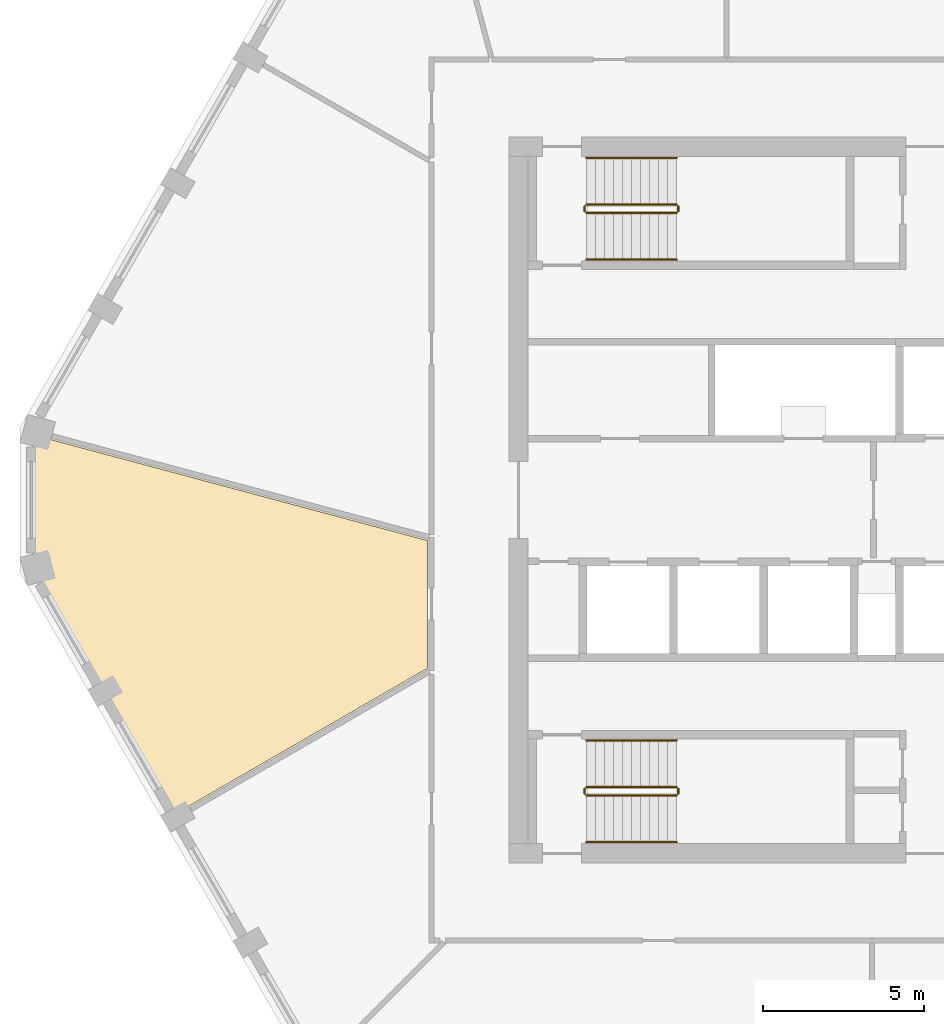
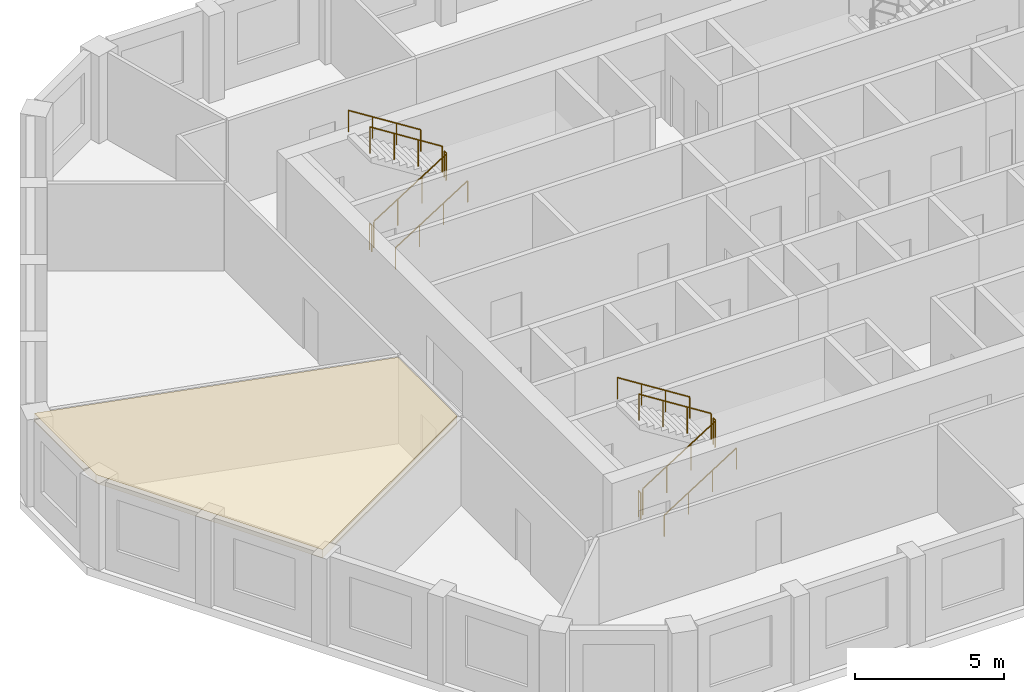
# One storey, part 8 of 9: 12 railings, 1 covering.
"""IFC4 building model written with IfcOpenShell, lengths in metres."""

import ifcopenshell
import ifcopenshell.guid

model = None  # the IFC model being written
_history = None  # IfcOwnerHistory: only IFC2X3 demands one
_inside = {}  # id of a spatial element -> (the spatial element, [elements in it])
_under = {}  # id of a project, library or spatial element -> (it, [spatial elements below it])
_declared = {}  # id of a project -> (the project, [libraries it declares])
_typed = {}  # id of a type object -> (the type object, [elements of that type])
_made_of = {}  # id of a material, layer set ... -> (it, [elements and type objects made of it])


def new_model(schema):
    """Start an empty IFC model of exactly this schema.

    Asked for "IFC4X3", IfcOpenShell would pick the latest addendum, in which some entities
    have other attributes; the version numbers below select the first issue.
    IFC2X3 requires an IfcOwnerHistory on every rooted entity: one is made here for all.
    """
    global model, _history
    if schema == "IFC4X3":
        model = ifcopenshell.file(schema_version=(4, 3, 0, 0))
    else:
        model = ifcopenshell.file(schema=schema)
    _inside.clear()
    _under.clear()
    _declared.clear()
    _typed.clear()
    _made_of.clear()
    _history = None
    if model.schema == "IFC2X3":
        org = make("IfcOrganization", Name="unknown")
        user = make(
            "IfcPersonAndOrganization",
            ThePerson=make("IfcPerson", FamilyName="unknown"),
            TheOrganization=org,
        )
        app = make(
            "IfcApplication",
            ApplicationDeveloper=org,
            Version="unknown",
            ApplicationFullName="unknown",
            ApplicationIdentifier="unknown",
        )
        _history = make(
            "IfcOwnerHistory",
            OwningUser=user,
            OwningApplication=app,
            ChangeAction="ADDED",
            CreationDate=0,
        )
    return model


def make(cls, **values):
    """One entity of the class cls with the attributes given. An attribute that is None is left unset."""
    return model.create_entity(
        cls, **{name: value for name, value in values.items() if value is not None}
    )


def rooted(cls, **values):
    """An entity with a GlobalId (a new one), such as an element, a storey or a relation."""
    return make(cls, GlobalId=ifcopenshell.guid.new(), OwnerHistory=_history, **values)


def si_unit(unit_type, name, prefix=None):
    """IfcSIUnit, for example si_unit("LENGTHUNIT", "METRE", prefix="MILLI")."""
    return make("IfcSIUnit", UnitType=unit_type, Prefix=prefix, Name=name)


def assignment(units):
    """IfcUnitAssignment: the units of a project."""
    return None if units is None else make("IfcUnitAssignment", Units=units)


def point(xyz):
    """IfcCartesianPoint."""
    return None if xyz is None else make("IfcCartesianPoint", Coordinates=xyz)


def direction(xyz):
    """IfcDirection."""
    return None if xyz is None else make("IfcDirection", DirectionRatios=xyz)


def frame(location, z_axis=None, x_axis=None):
    """IfcAxis2Placement3D, a coordinate frame: its origin and axes. An axis left out is left unset."""
    return make(
        "IfcAxis2Placement3D",
        Location=point(location),
        Axis=direction(z_axis),
        RefDirection=direction(x_axis),
    )


def frame_2d(location, x_axis=None):
    """IfcAxis2Placement2D, a coordinate frame in the plane: its origin and x axis."""
    return make(
        "IfcAxis2Placement2D", Location=point(location), RefDirection=direction(x_axis)
    )


def origin():
    """The frame at (0, 0, 0) with its axes left unset."""
    return frame((0.0, 0.0, 0.0))


def origin_2d():
    """The frame at (0, 0) in the plane with its x axis left unset."""
    return frame_2d((0.0, 0.0))


def place(relative_to, where):
    """IfcLocalPlacement: puts the frame where relative to a parent placement (None: the world)."""
    return make(
        "IfcLocalPlacement", PlacementRelTo=relative_to, RelativePlacement=where
    )


def context(
    kind, dimensions, precision=None, world=None, true_north=None, identifier=None
):
    """IfcGeometricRepresentationContext, for example the 3D "Model" context."""
    return make(
        "IfcGeometricRepresentationContext",
        ContextIdentifier=identifier,
        ContextType=kind,
        CoordinateSpaceDimension=dimensions,
        Precision=precision,
        WorldCoordinateSystem=world,
        TrueNorth=true_north,
    )


def subcontext(parent, identifier, kind, view, scale=None):
    """IfcGeometricRepresentationSubContext, for example "Body" below "Model"."""
    return make(
        "IfcGeometricRepresentationSubContext",
        ContextIdentifier=identifier,
        ContextType=kind,
        ParentContext=parent,
        TargetScale=scale,
        TargetView=view,
    )


def project(units=None, contexts=None):
    """IfcProject with its units and contexts."""
    return rooted(
        "IfcProject",
        Name="project",
        RepresentationContexts=contexts,
        UnitsInContext=assignment(units),
    )


def spatial(cls, under=None, at=None, **own):
    """A site, building, storey or space (cls), placed at a placement, below another one or the project."""
    s = rooted(cls, ObjectPlacement=at, **own)
    if under is not None:
        _under.setdefault(under.id(), (under, []))[1].append(s)
    return s


def polyline(points):
    """IfcPolyline through the points."""
    return make("IfcPolyline", Points=[point(p) for p in points])


def profile(cls, at=None, kind="AREA", **sizes):
    """A parametric profile (cls). Its sizes go by their IFC names, for example OverallWidth=200.0."""
    return make(cls, ProfileType=kind, Position=at, **sizes)


def circle(**sizes):
    """IfcCircleProfileDef."""
    return profile("IfcCircleProfileDef", **sizes)


def outline(outer, holes=None, kind="AREA"):
    """IfcArbitraryClosedProfileDef: a profile drawn as a closed curve; with holes, ...WithVoids."""
    if holes is None:
        return make("IfcArbitraryClosedProfileDef", ProfileType=kind, OuterCurve=outer)
    return make(
        "IfcArbitraryProfileDefWithVoids",
        ProfileType=kind,
        OuterCurve=outer,
        InnerCurves=holes,
    )


def extrude(swept, where, along, depth):
    """IfcExtrudedAreaSolid: the profile swept, set in the frame where, extruded along a direction by depth."""
    return make(
        "IfcExtrudedAreaSolid",
        SweptArea=swept,
        Position=where,
        ExtrudedDirection=direction(along),
        Depth=depth,
    )


def shape(context_of_items, identifier, shape_type, items):
    """IfcShapeRepresentation: the items that make up one representation, for example the "Body"."""
    return make(
        "IfcShapeRepresentation",
        ContextOfItems=context_of_items,
        RepresentationIdentifier=identifier,
        RepresentationType=shape_type,
        Items=items,
    )


def material(Name=None, Category=None):
    """IfcMaterial."""
    return make("IfcMaterial", Name=Name, Category=Category)


def layer(
    of_material, thickness, ventilated=None, Name=None, Category=None, Priority=None
):
    """IfcMaterialLayer: one layer of a wall or slab, of a material (None: an air gap)."""
    return make(
        "IfcMaterialLayer",
        Material=of_material,
        LayerThickness=thickness,
        IsVentilated=ventilated,
        Name=Name,
        Category=Category,
        Priority=Priority,
    )


def layer_set(layers, Name=None):
    """IfcMaterialLayerSet."""
    return make("IfcMaterialLayerSet", MaterialLayers=layers, LayerSetName=Name)


def made_of(thing, what):
    """Note that an element or type object is made of a material, layer set ...; save() writes the relation."""
    if what is not None:
        _made_of.setdefault(what.id(), (what, []))[1].append(thing)
    return thing


def type_object(cls, material=None, **own):
    """A type object (cls), such as IfcWallType, which elements share."""
    return made_of(rooted(cls, **own), material)


def element(
    cls,
    number,
    at=None,
    inside=None,
    cuts=None,
    type_object=None,
    material=None,
    context=None,
    identifier="Body",
    shape_type=None,
    held_by="IfcProductDefinitionShape",
    body=None,
    shapes=None,
    **own,
):
    """One element of the class cls, such as IfcWall. Its Tag is "e" and its number.

    at: its placement. inside: the storey or other place that contains it. cuts: it is an
    opening in that element (IfcRelVoidsElement). A single representation is given by context,
    identifier, shape_type and body (its items); several are given by shapes. held_by: the class
    of the entity that holds the representations. save() writes the other relations.
    """
    e = rooted(cls, Tag="e%d" % number, ObjectPlacement=at, **own)
    if body is not None:
        shapes = [shape(context, identifier, shape_type, body)]
    if shapes is not None:
        e.Representation = make(held_by, Representations=shapes)
    if inside is not None:
        _inside.setdefault(inside.id(), (inside, []))[1].append(e)
    if cuts is not None:
        rooted(
            "IfcRelVoidsElement", RelatingBuildingElement=cuts, RelatedOpeningElement=e
        )
    if type_object is not None:
        _typed.setdefault(type_object.id(), (type_object, []))[1].append(e)
    return made_of(e, material)


def aggregate(whole, parts):
    """IfcRelAggregates: a whole, such as a stair, and the parts it consists of."""
    return rooted("IfcRelAggregates", RelatingObject=whole, RelatedObjects=parts)


def save(model, path):
    """Write the relations noted so far, then the file.

    IfcRelAggregates (storeys below a building ...), IfcRelContainedInSpatialStructure (elements
    in a storey), IfcRelDefinesByType, IfcRelAssociatesMaterial and IfcRelDeclares: one each for
    every whole, place, type object, material and project.
    """
    for whole, parts in _under.values():
        aggregate(whole, parts)
    for where, things in _inside.values():
        rooted(
            "IfcRelContainedInSpatialStructure",
            RelatedElements=things,
            RelatingStructure=where,
        )
    for kind, things in _typed.values():
        rooted("IfcRelDefinesByType", RelatedObjects=things, RelatingType=kind)
    for what, things in _made_of.values():
        rooted("IfcRelAssociatesMaterial", RelatedObjects=things, RelatingMaterial=what)
    for by, libraries in _declared.values():
        rooted("IfcRelDeclares", RelatingContext=by, RelatedDefinitions=libraries)
    model.write(path)


model = new_model("IFC4")

# Units and contexts
model_context = context("Model", 3, precision=1e-05, world=origin(), true_north=direction((0.0, 1.0)))
body_context = subcontext(model_context, "Body", "Model", "MODEL_VIEW")
ifc_project = project(units=[si_unit("LENGTHUNIT", "METRE"), si_unit("AREAUNIT", "SQUARE_METRE"), si_unit("VOLUMEUNIT", "CUBIC_METRE"), si_unit("PLANEANGLEUNIT", "RADIAN"), si_unit("MASSUNIT", "GRAM", prefix="KILO")], contexts=[model_context])

# Site, building, storey
site_placement = place(None, origin())
site = spatial("IfcSite", under=ifc_project, at=site_placement, CompositionType="ELEMENT")
building_placement = place(site_placement, origin())
building = spatial("IfcBuilding", under=site, at=building_placement, Name="Dhurran Vertical Campus", CompositionType="ELEMENT")
storey_placement = place(building_placement, frame((0.0, 0.0, 290.39990234375)))
storey = spatial("IfcBuildingStorey", under=building, at=storey_placement, Name="L72", CompositionType="ELEMENT", Elevation=290.39990234375)

# Railings
ifc_material_1 = material(Name="Stainless steel balustrade", Category="steel")
railing_type_1 = type_object("IfcRailingType", Name="co-RL-GUARD-1100", PredefinedType="GUARDRAIL", material=ifc_material_1)
railing_1_placement = place(storey_placement, frame((-11.10009765625, 8.89990234375, 0.177490234375)))
element("IfcRailing", 1, at=railing_1_placement, inside=storey, type_object=railing_type_1, Name="L72 ST1 stair guard 1", PredefinedType="GUARDRAIL", context=body_context, shape_type="SweptSolid", body=[
    extrude(circle(Radius=0.02392578125, at=origin_2d()), frame((0.0, 0.0, 1.076171875), z_axis=(0.844908973607, 0.0, 0.534910110503), x_axis=(0.0, 1.0, 0.0)), (0.0, 0.0, 1.0), 3.31396484375),
    extrude(circle(Radius=0.02099609375, at=origin_2d()), origin(), (0.0, 0.0, 1.0), 1.052001953125),
    extrude(circle(Radius=0.02099609375, at=origin_2d()), frame((0.933349609375, 0.0, 0.5908203125)), (0.0, 0.0, 1.0), 1.052001953125),
    extrude(circle(Radius=0.02099609375, at=origin_2d()), frame((1.86669921875, 0.0, 1.181884765625)), (0.0, 0.0, 1.0), 1.052001953125),
    extrude(circle(Radius=0.02099609375, at=origin_2d()), frame((2.800048828125, 0.0, 1.772705078125)), (0.0, 0.0, 1.0), 1.052001953125),
])
railing_2_placement = place(storey_placement, frame((-8.25, 8.949951171875, 1.9501953125)))
element("IfcRailing", 2, at=railing_2_placement, inside=storey, type_object=railing_type_1, Name="L72 ST1 stair guard 2", PredefinedType="GUARDRAIL", context=body_context, shape_type="SweptSolid", body=[
    extrude(circle(Radius=0.02392578125, at=origin_2d()), frame((0.0, 0.0, 1.076171875), z_axis=(0.0, 1.0, 0.0), x_axis=(-1.0, 0.0, 0.0)), (0.0, 0.0, 1.0), 0.150146484375),
    extrude(circle(Radius=0.02099609375, at=origin_2d()), origin(), (0.0, 0.0, 1.0), 1.052001953125),
    extrude(circle(Radius=0.02099609375, at=origin_2d()), frame((0.0, 0.150146484375, 0.0)), (0.0, 0.0, 1.0), 1.052001953125),
])
railing_3_placement = place(storey_placement, frame((-8.300048828125, 9.14990234375, 2.12744140625)))
element("IfcRailing", 3, at=railing_3_placement, inside=storey, type_object=railing_type_1, Name="L72 ST1 stair guard 3", PredefinedType="GUARDRAIL", context=body_context, shape_type="SweptSolid", body=[
    extrude(circle(Radius=0.02392578125, at=origin_2d()), frame((0.0, 0.0, 1.076171875), z_axis=(-0.844908973607, 0.0, 0.534910110503), x_axis=(0.0, -1.0, 0.0)), (0.0, 0.0, 1.0), 3.31396484375),
    extrude(circle(Radius=0.02099609375, at=origin_2d()), origin(), (0.0, 0.0, 1.0), 1.052001953125),
    extrude(circle(Radius=0.02099609375, at=origin_2d()), frame((-0.933349609375, 0.0, 0.5908203125)), (0.0, 0.0, 1.0), 1.052001953125),
    extrude(circle(Radius=0.02099609375, at=origin_2d()), frame((-1.86669921875, 0.0, 1.181884765625)), (0.0, 0.0, 1.0), 1.052001953125),
    extrude(circle(Radius=0.02099609375, at=origin_2d()), frame((-2.800048828125, 0.0, 1.772705078125)), (0.0, 0.0, 1.0), 1.052001953125),
])
railing_4_placement = place(storey_placement, frame((-11.14990234375, 8.949951171875, 0.0)))
element("IfcRailing", 4, at=railing_4_placement, inside=storey, type_object=railing_type_1, Name="L72 ST1 stair guard 4", PredefinedType="GUARDRAIL", context=body_context, shape_type="SweptSolid", body=[
    extrude(circle(Radius=0.02392578125, at=origin_2d()), frame((0.0, 0.0, 1.076171875), z_axis=(0.0, 1.0, 0.0), x_axis=(-1.0, 0.0, 0.0)), (0.0, 0.0, 1.0), 0.150146484375),
    extrude(circle(Radius=0.02099609375, at=origin_2d()), origin(), (0.0, 0.0, 1.0), 1.052001953125),
    extrude(circle(Radius=0.02099609375, at=origin_2d()), frame((0.0, 0.150146484375, 0.0)), (0.0, 0.0, 1.0), 1.052001953125),
])
railing_5_placement = place(storey_placement, frame((-11.10009765625, -9.14990234375, 0.177490234375)))
element("IfcRailing", 5, at=railing_5_placement, inside=storey, type_object=railing_type_1, Name="L72 ST3 stair guard 1", PredefinedType="GUARDRAIL", context=body_context, shape_type="SweptSolid", body=[
    extrude(circle(Radius=0.02392578125, at=origin_2d()), frame((0.0, 0.0, 1.076171875), z_axis=(0.844908973607, 0.0, 0.534910110503), x_axis=(0.0, 1.0, 0.0)), (0.0, 0.0, 1.0), 3.31396484375),
    extrude(circle(Radius=0.02099609375, at=origin_2d()), origin(), (0.0, 0.0, 1.0), 1.052001953125),
    extrude(circle(Radius=0.02099609375, at=origin_2d()), frame((0.933349609375, 0.0, 0.5908203125)), (0.0, 0.0, 1.0), 1.052001953125),
    extrude(circle(Radius=0.02099609375, at=origin_2d()), frame((1.86669921875, 0.0, 1.181884765625)), (0.0, 0.0, 1.0), 1.052001953125),
    extrude(circle(Radius=0.02099609375, at=origin_2d()), frame((2.800048828125, 0.0, 1.772705078125)), (0.0, 0.0, 1.0), 1.052001953125),
])
railing_6_placement = place(storey_placement, frame((-8.25, -9.10009765625, 1.9501953125)))
element("IfcRailing", 6, at=railing_6_placement, inside=storey, type_object=railing_type_1, Name="L72 ST3 stair guard 2", PredefinedType="GUARDRAIL", context=body_context, shape_type="SweptSolid", body=[
    extrude(circle(Radius=0.02392578125, at=origin_2d()), frame((0.0, 0.0, 1.076171875), z_axis=(0.0, 1.0, 0.0), x_axis=(-1.0, 0.0, 0.0)), (0.0, 0.0, 1.0), 0.150146484375),
    extrude(circle(Radius=0.02099609375, at=origin_2d()), origin(), (0.0, 0.0, 1.0), 1.052001953125),
    extrude(circle(Radius=0.02099609375, at=origin_2d()), frame((0.0, 0.150146484375, 0.0)), (0.0, 0.0, 1.0), 1.052001953125),
])
railing_7_placement = place(storey_placement, frame((-8.300048828125, -8.89990234375, 2.12744140625)))
element("IfcRailing", 7, at=railing_7_placement, inside=storey, type_object=railing_type_1, Name="L72 ST3 stair guard 3", PredefinedType="GUARDRAIL", context=body_context, shape_type="SweptSolid", body=[
    extrude(circle(Radius=0.02392578125, at=origin_2d()), frame((0.0, 0.0, 1.076171875), z_axis=(-0.844908973607, 0.0, 0.534910110503), x_axis=(0.0, -1.0, 0.0)), (0.0, 0.0, 1.0), 3.31396484375),
    extrude(circle(Radius=0.02099609375, at=origin_2d()), origin(), (0.0, 0.0, 1.0), 1.052001953125),
    extrude(circle(Radius=0.02099609375, at=origin_2d()), frame((-0.933349609375, 0.0, 0.5908203125)), (0.0, 0.0, 1.0), 1.052001953125),
    extrude(circle(Radius=0.02099609375, at=origin_2d()), frame((-1.86669921875, 0.0, 1.181884765625)), (0.0, 0.0, 1.0), 1.052001953125),
    extrude(circle(Radius=0.02099609375, at=origin_2d()), frame((-2.800048828125, 0.0, 1.772705078125)), (0.0, 0.0, 1.0), 1.052001953125),
])
railing_8_placement = place(storey_placement, frame((-11.14990234375, -9.10009765625, 0.0)))
element("IfcRailing", 8, at=railing_8_placement, inside=storey, type_object=railing_type_1, Name="L72 ST3 stair guard 4", PredefinedType="GUARDRAIL", context=body_context, shape_type="SweptSolid", body=[
    extrude(circle(Radius=0.02392578125, at=origin_2d()), frame((0.0, 0.0, 1.076171875), z_axis=(0.0, 1.0, 0.0), x_axis=(-1.0, 0.0, 0.0)), (0.0, 0.0, 1.0), 0.150146484375),
    extrude(circle(Radius=0.02099609375, at=origin_2d()), origin(), (0.0, 0.0, 1.0), 1.052001953125),
    extrude(circle(Radius=0.02099609375, at=origin_2d()), frame((0.0, 0.150146484375, 0.0)), (0.0, 0.0, 1.0), 1.052001953125),
])
ifc_material_2 = material(Name="Stainless steel handrail", Category="steel")
railing_type_2 = type_object("IfcRailingType", Name="co-RL-HANDRAIL-900", PredefinedType="HANDRAIL", material=ifc_material_2)
railing_9_placement = place(storey_placement, frame((-11.10009765625, 7.449951171875, 0.177490234375)))
element("IfcRailing", 9, at=railing_9_placement, inside=storey, type_object=railing_type_2, Name="L72 ST1 stair handrail 1", PredefinedType="HANDRAIL", context=body_context, shape_type="SweptSolid", body=[
    extrude(circle(Radius=0.02392578125, at=origin_2d()), frame((0.0, 0.0, 0.8759765625), z_axis=(0.844908973607, 0.0, 0.534910110503), x_axis=(0.0, 1.0, 0.0)), (0.0, 0.0, 1.0), 3.31396484375),
    extrude(circle(Radius=0.02099609375, at=origin_2d()), origin(), (0.0, 0.0, 1.0), 0.851806640625),
    extrude(circle(Radius=0.02099609375, at=origin_2d()), frame((0.933349609375, 0.0, 0.5908203125)), (0.0, 0.0, 1.0), 0.851806640625),
    extrude(circle(Radius=0.02099609375, at=origin_2d()), frame((1.86669921875, 0.0, 1.181884765625)), (0.0, 0.0, 1.0), 0.851806640625),
    extrude(circle(Radius=0.02099609375, at=origin_2d()), frame((2.800048828125, 0.0, 1.772705078125)), (0.0, 0.0, 1.0), 0.851806640625),
])
railing_10_placement = place(storey_placement, frame((-8.300048828125, 10.60009765625, 2.12744140625)))
element("IfcRailing", 10, at=railing_10_placement, inside=storey, type_object=railing_type_2, Name="L72 ST1 stair handrail 2", PredefinedType="HANDRAIL", context=body_context, shape_type="SweptSolid", body=[
    extrude(circle(Radius=0.02392578125, at=origin_2d()), frame((0.0, 0.0, 0.8759765625), z_axis=(-0.844908973607, 0.0, 0.534910110503), x_axis=(0.0, -1.0, 0.0)), (0.0, 0.0, 1.0), 3.31396484375),
    extrude(circle(Radius=0.02099609375, at=origin_2d()), origin(), (0.0, 0.0, 1.0), 0.851806640625),
    extrude(circle(Radius=0.02099609375, at=origin_2d()), frame((-0.933349609375, 0.0, 0.5908203125)), (0.0, 0.0, 1.0), 0.851806640625),
    extrude(circle(Radius=0.02099609375, at=origin_2d()), frame((-1.86669921875, 0.0, 1.181884765625)), (0.0, 0.0, 1.0), 0.851806640625),
    extrude(circle(Radius=0.02099609375, at=origin_2d()), frame((-2.800048828125, 0.0, 1.772705078125)), (0.0, 0.0, 1.0), 0.851806640625),
])
railing_11_placement = place(storey_placement, frame((-11.10009765625, -10.60009765625, 0.177490234375)))
element("IfcRailing", 11, at=railing_11_placement, inside=storey, type_object=railing_type_2, Name="L72 ST3 stair handrail 1", PredefinedType="HANDRAIL", context=body_context, shape_type="SweptSolid", body=[
    extrude(circle(Radius=0.02392578125, at=origin_2d()), frame((0.0, 0.0, 0.8759765625), z_axis=(0.844908973607, 0.0, 0.534910110503), x_axis=(0.0, 1.0, 0.0)), (0.0, 0.0, 1.0), 3.31396484375),
    extrude(circle(Radius=0.02099609375, at=origin_2d()), origin(), (0.0, 0.0, 1.0), 0.851806640625),
    extrude(circle(Radius=0.02099609375, at=origin_2d()), frame((0.933349609375, 0.0, 0.5908203125)), (0.0, 0.0, 1.0), 0.851806640625),
    extrude(circle(Radius=0.02099609375, at=origin_2d()), frame((1.86669921875, 0.0, 1.181884765625)), (0.0, 0.0, 1.0), 0.851806640625),
    extrude(circle(Radius=0.02099609375, at=origin_2d()), frame((2.800048828125, 0.0, 1.772705078125)), (0.0, 0.0, 1.0), 0.851806640625),
])
railing_12_placement = place(storey_placement, frame((-8.300048828125, -7.449951171875, 2.12744140625)))
element("IfcRailing", 12, at=railing_12_placement, inside=storey, type_object=railing_type_2, Name="L72 ST3 stair handrail 2", PredefinedType="HANDRAIL", context=body_context, shape_type="SweptSolid", body=[
    extrude(circle(Radius=0.02392578125, at=origin_2d()), frame((0.0, 0.0, 0.8759765625), z_axis=(-0.844908973607, 0.0, 0.534910110503), x_axis=(0.0, -1.0, 0.0)), (0.0, 0.0, 1.0), 3.31396484375),
    extrude(circle(Radius=0.02099609375, at=origin_2d()), origin(), (0.0, 0.0, 1.0), 0.851806640625),
    extrude(circle(Radius=0.02099609375, at=origin_2d()), frame((-0.933349609375, 0.0, 0.5908203125)), (0.0, 0.0, 1.0), 0.851806640625),
    extrude(circle(Radius=0.02099609375, at=origin_2d()), frame((-1.86669921875, 0.0, 1.181884765625)), (0.0, 0.0, 1.0), 0.851806640625),
    extrude(circle(Radius=0.02099609375, at=origin_2d()), frame((-2.800048828125, 0.0, 1.772705078125)), (0.0, 0.0, 1.0), 0.851806640625),
])

# Covering
ifc_material_3 = material(Name="Mineral fibre ceiling tiles on suspended grid")
ifc_layer = layer(ifc_material_3, 0.35009765625)
ifc_layer_set = layer_set([ifc_layer], Name="Mineral fibre ceiling tiles on suspended grid")
covering_type = type_object("IfcCoveringType", Name="fl-CE-350 suspended ceiling", PredefinedType="CEILING", material=ifc_layer_set)
covering_placement = place(storey_placement, frame((0.0, 0.0, 3.22509765625)))
element("IfcCovering", 13, at=covering_placement, inside=storey, type_object=covering_type, Name="Ceiling 72-02", PredefinedType="CEILING", context=body_context, shape_type="SweptSolid", body=[
    extrude(outline(polyline([(-23.843017578125, -9.72998046875), (-28.22705078125, -2.137939453125), (-28.22705078125, 2.013916015625), (-16.02001953125, -1.258056640625), (-16.02001953125, -5.214111328125), (-23.843017578125, -9.72998046875)])), origin(), (0.0, 0.0, 1.0), 0.35009765625),
])

save(model, "model.ifc")
